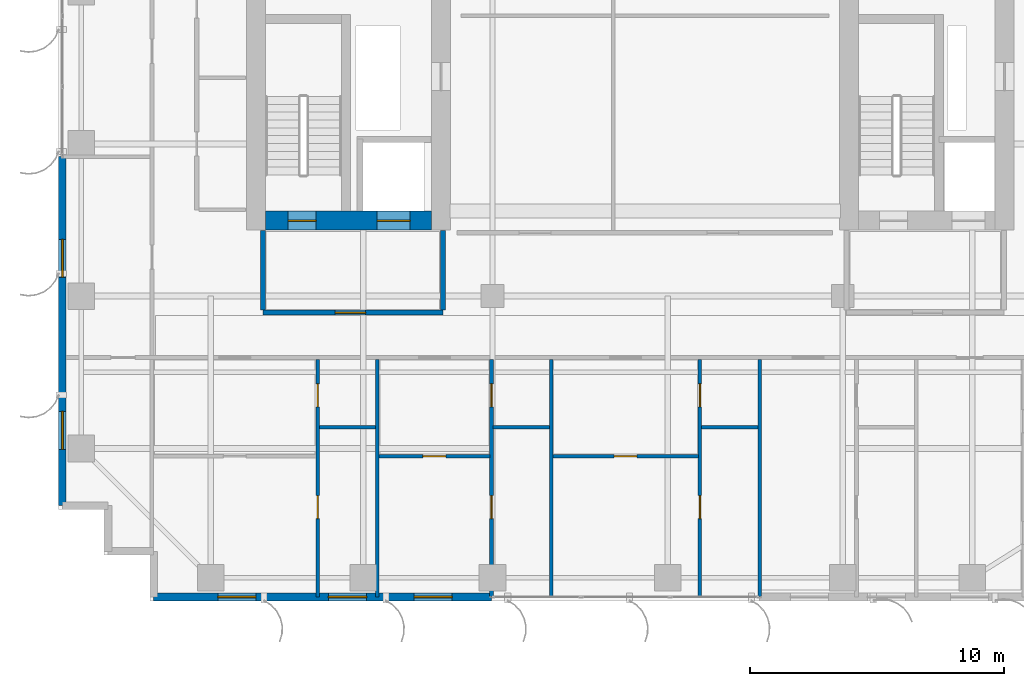
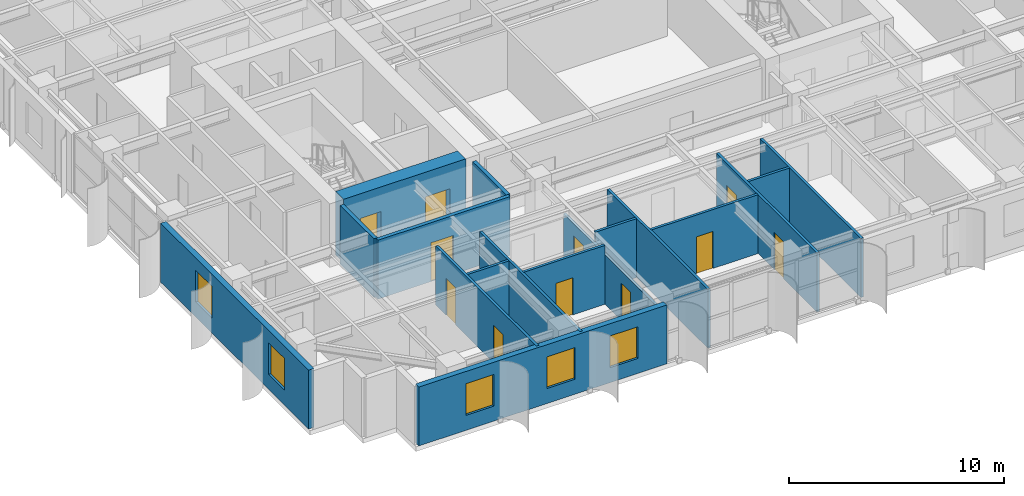
# One storey, part 13 of 22: 17 walls, 11 doors, 5 windows, 16 openings.
"""IFC4 building model written with IfcOpenShell, lengths in metres."""

from ifc_helpers import new_model, si_unit, direction, frame, frame_2d, origin, place, context, subcontext, project, spatial, rectangle, extrude, source, transform, mapped, material, layer, layer_set, type_object, element, fill, save


model = new_model("IFC4")

# Units and contexts
model_context = context("Model", 3, precision=1e-05, world=origin(), true_north=direction((0.0, 1.0)))
body_context = subcontext(model_context, "Body", "Model", "MODEL_VIEW")
ifc_project = project(units=[si_unit("LENGTHUNIT", "METRE"), si_unit("AREAUNIT", "SQUARE_METRE"), si_unit("VOLUMEUNIT", "CUBIC_METRE"), si_unit("PLANEANGLEUNIT", "RADIAN"), si_unit("MASSUNIT", "GRAM", prefix="KILO")], contexts=[model_context])

# Site, building, storey
site_placement = place(None, origin())
site = spatial("IfcSite", under=ifc_project, at=site_placement, CompositionType="ELEMENT")
building_placement = place(site_placement, origin())
building = spatial("IfcBuilding", under=site, at=building_placement, Name="Khoralis Quay Care Tower", CompositionType="ELEMENT")
storey_placement = place(building_placement, frame((0.0, 0.0, 101.699951171875)))
storey = spatial("IfcBuildingStorey", under=building, at=storey_placement, Name="L26", CompositionType="ELEMENT", Elevation=101.699951171875)

# Wall, opening, door
ifc_material_1 = material(Name="Gypsum plasterboard on acoustic metal stud")
ifc_layer_1 = layer(ifc_material_1, 0.199951171875)
ifc_layer_set_1 = layer_set([ifc_layer_1], Name="Gypsum plasterboard on acoustic metal stud")
wall_type_1 = type_object("IfcWallType", Name="WL-COMP-200", PredefinedType="PARTITIONING", material=ifc_layer_set_1)
wall_1_placement = place(storey_placement, frame((8.050048828125, 11.35009765625, 0.0), z_axis=(0.0, 0.0, 1.0), x_axis=(1.0, 0.0, 0.0)))
wall_1 = element("IfcWall", 1, at=wall_1_placement, inside=storey, type_object=wall_type_1, Name="L26 West Firefighting Lobby South Wall", PredefinedType="PARTITIONING", context=body_context, shape_type="SweptSolid", body=[
    extrude(rectangle(XDim=7.099853515625, YDim=0.199951171875, at=frame_2d((3.5498046875, 0.0))), origin(), (0.0, 0.0, 1.0), 3.340087890625),
])
opening_1_placement = place(wall_1_placement, frame((2.846435546875, 0.0, 0.0)))
opening_1 = element("IfcOpeningElement", 2, at=opening_1_placement, cuts=wall_1, Name="Opening FD1", PredefinedType="OPENING", context=body_context, shape_type="SweptSolid", body=[
    extrude(rectangle(XDim=1.199951171875, YDim=2.199951171875, at=frame_2d((0.60009765625, 1.10009765625))), frame((0.0, 0.10986328125, 0.0), z_axis=(0.0, -1.0, 0.0), x_axis=(1.0, 0.0, 0.0)), (0.0, 0.0, 1.0), 0.219970703125),
])
ifc_material_2 = material(Name="Fire-rated painted steel", Category="steel")
door_type_1 = type_object("IfcDoorType", Name="DR-FFL-1200X2200", OperationType="NOTDEFINED", PredefinedType="DOOR", material=ifc_material_2)
shared_shape_1 = source(origin(), body_context, "Body", "SweptSolid", [
    extrude(rectangle(XDim=1.199951171875, YDim=2.199951171875, at=frame_2d((0.60009765625, 1.10009765625))), frame((0.0, 0.02490234375, 0.0), z_axis=(0.0, -1.0, 0.0), x_axis=(1.0, 0.0, 0.0)), (0.0, 0.0, 1.0), 0.050048828125),
])
door_1_placement = place(opening_1_placement, origin())
door_1 = element("IfcDoor", 3, at=door_1_placement, inside=storey, type_object=door_type_1, Name="L26 West Firefighting Lobby Fire Door", OperationType="SINGLE_SWING_RIGHT", OverallHeight=2.199951171875, OverallWidth=1.199951171875, PredefinedType="DOOR", context=body_context, shape_type="MappedRepresentation", body=[
    mapped(shared_shape_1, transform((0.0, 0.0, 0.0), scale=1.0)),
])
fill(opening_1, door_1)

# Walls
for number, where, z_axis, x_axis, name in (
    (4, (8.050048828125, 11.445068359375, 0.0), (0.0, 0.0, 1.0), (0.0, 1.0, 0.0), "L26 West Firefighting Lobby West Wall"),
    (5, (15.14990234375, 11.445068359375, 0.0), (0.0, 0.0, 1.0), (0.0, 1.0, 0.0), "L26 West Firefighting Lobby East Wall"),
):
    element("IfcWall", number, at=place(storey_placement, frame(where, z_axis=z_axis, x_axis=x_axis)), inside=storey, type_object=wall_type_1, Name=name, PredefinedType="PARTITIONING", context=body_context, shape_type="SweptSolid", body=[
        extrude(rectangle(XDim=3.135009765625, YDim=0.199951171875, at=frame_2d((1.5673828125, 0.0))), origin(), (0.0, 0.0, 1.0), 3.340087890625),
    ])

# Wall, openings, doors
ifc_material_3 = material(Name="Concrete C80/95", Category="concrete")
ifc_layer_2 = layer(ifc_material_3, 0.75)
ifc_layer_set_2 = layer_set([ifc_layer_2], Name="Concrete C80/95")
wall_type_2 = type_object("IfcWallType", Name="WL-CORE-750", PredefinedType="SHEAR", material=ifc_layer_set_2)
wall_2_placement = place(storey_placement, frame((8.14990234375, 14.97509765625, 0.0), z_axis=(0.0, 0.0, 1.0), x_axis=(1.0, 0.0, 0.0)))
wall_2 = element("IfcWall", 6, at=wall_2_placement, inside=storey, type_object=wall_type_2, Name="L26 WCORE South Shear Wall", PredefinedType="SHEAR", context=body_context, shape_type="SweptSolid", body=[
    extrude(rectangle(XDim=6.550048828125, YDim=0.75, at=frame_2d((3.27490234375, 0.0))), origin(), (0.0, 0.0, 1.0), 3.60009765625),
])
opening_2_placement = place(wall_2_placement, frame((0.89990234375, 0.0, 0.0)))
opening_2 = element("IfcOpeningElement", 7, at=opening_2_placement, cuts=wall_2, Name="Opening SD1", PredefinedType="OPENING", context=body_context, shape_type="SweptSolid", body=[
    extrude(rectangle(XDim=1.10009765625, YDim=2.199951171875, at=frame_2d((0.550048828125, 1.10009765625))), frame((0.0, 0.385009765625, 0.0), z_axis=(0.0, -1.0, 0.0), x_axis=(1.0, 0.0, 0.0)), (0.0, 0.0, 1.0), 0.77001953125),
])
opening_3_placement = place(wall_2_placement, frame((4.39990234375, 0.0, 0.0)))
opening_3 = element("IfcOpeningElement", 8, at=opening_3_placement, cuts=wall_2, Name="Opening LD2", PredefinedType="OPENING", context=body_context, shape_type="SweptSolid", body=[
    extrude(rectangle(XDim=1.300048828125, YDim=2.199951171875, at=frame_2d((0.64990234375, 1.10009765625))), frame((0.0, 0.385009765625, 0.0), z_axis=(0.0, -1.0, 0.0), x_axis=(1.0, 0.0, 0.0)), (0.0, 0.0, 1.0), 0.77001953125),
])
door_type_2 = type_object("IfcDoorType", Name="DR-STAIR-1100X2200", OperationType="NOTDEFINED", PredefinedType="DOOR", material=ifc_material_2)
shared_shape_2 = source(origin(), body_context, "Body", "SweptSolid", [
    extrude(rectangle(XDim=1.10009765625, YDim=2.199951171875, at=frame_2d((0.550048828125, 1.10009765625))), frame((0.0, 0.02490234375, 0.0), z_axis=(0.0, -1.0, 0.0), x_axis=(1.0, 0.0, 0.0)), (0.0, 0.0, 1.0), 0.050048828125),
])
door_2_placement = place(opening_2_placement, origin())
door_2 = element("IfcDoor", 9, at=door_2_placement, inside=storey, type_object=door_type_2, Name="L26 Stair ST-T1 Fire Door", OperationType="SINGLE_SWING_RIGHT", OverallHeight=2.199951171875, OverallWidth=1.10009765625, PredefinedType="DOOR", context=body_context, shape_type="MappedRepresentation", body=[
    mapped(shared_shape_2, transform((0.0, 0.0, 0.0), scale=1.0)),
])
fill(opening_2, door_2)
ifc_material_4 = material(Name="Brushed stainless steel", Category="steel")
door_type_3 = type_object("IfcDoorType", Name="DR-LIFT-1300X2200", OperationType="SLIDING_TO_RIGHT", PredefinedType="DOOR", material=ifc_material_4)
shared_shape_3 = source(origin(), body_context, "Body", "SweptSolid", [
    extrude(rectangle(XDim=1.300048828125, YDim=2.199951171875, at=frame_2d((0.64990234375, 1.10009765625))), frame((0.0, 0.02490234375, 0.0), z_axis=(0.0, -1.0, 0.0), x_axis=(1.0, 0.0, 0.0)), (0.0, 0.0, 1.0), 0.050048828125),
])
door_3_placement = place(opening_3_placement, origin())
door_3 = element("IfcDoor", 10, at=door_3_placement, inside=storey, type_object=door_type_3, Name="L26 Firefighting Lift FFL-1 Landing Door", OperationType="SLIDING_TO_RIGHT", OverallHeight=2.199951171875, OverallWidth=1.300048828125, PredefinedType="DOOR", context=body_context, shape_type="MappedRepresentation", body=[
    mapped(shared_shape_3, transform((0.0, 0.0, 0.0), scale=1.0)),
])
fill(opening_3, door_3)

# Wall, openings, windows
ifc_material_5 = material(Name="Precast concrete C45/55", Category="concrete")
ifc_layer_3 = layer(ifc_material_5, 0.300048828125)
ifc_layer_set_3 = layer_set([ifc_layer_3], Name="Precast concrete C45/55")
wall_type_3 = type_object("IfcWallType", Name="WL-EXT-REF-300", PredefinedType="SOLIDWALL", material=ifc_layer_set_3)
wall_3_placement = place(storey_placement, frame((3.75, 0.14990234375, 0.0), z_axis=(0.0, 0.0, 1.0), x_axis=(1.0, 0.0, 0.0)))
wall_3 = element("IfcWall", 11, at=wall_3_placement, inside=storey, type_object=wall_type_3, Name="L26 External Facade Wall WL-EXT-L26-P1-E0A", PredefinedType="SOLIDWALL", context=body_context, shape_type="SweptSolid", body=[
    extrude(rectangle(XDim=13.31005859375, YDim=0.300048828125, at=frame_2d((6.655029296875, 0.0))), origin(), (0.0, 0.0, 1.0), 3.340087890625),
])
opening_4_placement = place(wall_3_placement, frame((2.530029296875, 0.0, 0.85009765625)))
opening_4 = element("IfcOpeningElement", 12, at=opening_4_placement, cuts=wall_3, Name="Opening W3", PredefinedType="OPENING", context=body_context, shape_type="SweptSolid", body=[
    extrude(rectangle(XDim=1.5, YDim=1.800048828125, at=frame_2d((0.75, 0.89990234375))), frame((0.0, 0.16015625, 0.0), z_axis=(0.0, -1.0, 0.0), x_axis=(1.0, 0.0, 0.0)), (0.0, 0.0, 1.0), 0.320068359375),
])
opening_5_placement = place(wall_3_placement, frame((6.885009765625, 0.0, 0.85009765625)))
opening_5 = element("IfcOpeningElement", 13, at=opening_5_placement, cuts=wall_3, Name="Opening W3", PredefinedType="OPENING", context=body_context, shape_type="SweptSolid", body=[
    extrude(rectangle(XDim=1.5, YDim=1.800048828125, at=frame_2d((0.75, 0.89990234375))), frame((0.0, 0.16015625, 0.0), z_axis=(0.0, -1.0, 0.0), x_axis=(1.0, 0.0, 0.0)), (0.0, 0.0, 1.0), 0.320068359375),
])
opening_6_placement = place(wall_3_placement, frame((10.260009765625, 0.0, 0.85009765625)))
opening_6 = element("IfcOpeningElement", 14, at=opening_6_placement, cuts=wall_3, Name="Opening W3", PredefinedType="OPENING", context=body_context, shape_type="SweptSolid", body=[
    extrude(rectangle(XDim=1.5, YDim=1.800048828125, at=frame_2d((0.75, 0.89990234375))), frame((0.0, 0.16015625, 0.0), z_axis=(0.0, -1.0, 0.0), x_axis=(1.0, 0.0, 0.0)), (0.0, 0.0, 1.0), 0.320068359375),
])
ifc_material_6 = material(Name="Low-E solar-control double glazing", Category="glass")
window_type = type_object("IfcWindowType", Name="WN-CLIN-1500X1800", PartitioningType="SINGLE_PANEL", PredefinedType="WINDOW", material=ifc_material_6)
shared_shape_4 = source(origin(), body_context, "Body", "SweptSolid", [
    extrude(rectangle(XDim=1.5, YDim=1.800048828125, at=frame_2d((0.75, 0.89990234375))), frame((0.0, 0.030029296875, 0.0), z_axis=(0.0, -1.0, 0.0), x_axis=(1.0, 0.0, 0.0)), (0.0, 0.0, 1.0), 0.06005859375),
])
window_1_placement = place(opening_4_placement, origin())
window_1 = element("IfcWindow", 15, at=window_1_placement, inside=storey, type_object=window_type, Name="WN-L26-P1-E0A Facade Window 01", OverallHeight=1.800048828125, OverallWidth=1.5, PartitioningType="SINGLE_PANEL", PredefinedType="WINDOW", context=body_context, shape_type="MappedRepresentation", body=[
    mapped(shared_shape_4, transform((0.0, 0.0, 0.0), scale=1.0)),
])
fill(opening_4, window_1)
window_2_placement = place(opening_5_placement, origin())
window_2 = element("IfcWindow", 16, at=window_2_placement, inside=storey, type_object=window_type, Name="WN-L26-P1-E0A Facade Window 02", OverallHeight=1.800048828125, OverallWidth=1.5, PartitioningType="SINGLE_PANEL", PredefinedType="WINDOW", context=body_context, shape_type="MappedRepresentation", body=[
    mapped(shared_shape_4, transform((0.0, 0.0, 0.0), scale=1.0)),
])
fill(opening_5, window_2)
window_3_placement = place(opening_6_placement, origin())
window_3 = element("IfcWindow", 17, at=window_3_placement, inside=storey, type_object=window_type, Name="WN-L26-P1-E0A Facade Window 03", OverallHeight=1.800048828125, OverallWidth=1.5, PartitioningType="SINGLE_PANEL", PredefinedType="WINDOW", context=body_context, shape_type="MappedRepresentation", body=[
    mapped(shared_shape_4, transform((0.0, 0.0, 0.0), scale=1.0)),
])
fill(opening_6, window_3)

wall_4_placement = place(storey_placement, frame((0.14990234375, 17.5, 0.0), z_axis=(0.0, 0.0, 1.0), x_axis=(0.0, -1.0, 0.0)))
wall_4 = element("IfcWall", 18, at=wall_4_placement, inside=storey, type_object=wall_type_3, Name="L26 External Facade Wall WL-EXT-L26-P1-E15B", PredefinedType="SOLIDWALL", context=body_context, shape_type="SweptSolid", body=[
    extrude(rectangle(XDim=13.75, YDim=0.300048828125, at=frame_2d((6.875, 0.0))), origin(), (0.0, 0.0, 1.0), 3.340087890625),
])
opening_7_placement = place(wall_4_placement, frame((3.260009765625, 0.0, 0.85009765625)))
opening_7 = element("IfcOpeningElement", 19, at=opening_7_placement, cuts=wall_4, Name="Opening W3", PredefinedType="OPENING", context=body_context, shape_type="SweptSolid", body=[
    extrude(rectangle(XDim=1.5, YDim=1.800048828125, at=frame_2d((0.75, 0.89990234375))), frame((0.0, 0.16015625, 0.0), z_axis=(0.0, -1.0, 0.0), x_axis=(1.0, 0.0, 0.0)), (0.0, 0.0, 1.0), 0.320068359375),
])
opening_8_placement = place(wall_4_placement, frame((10.034912109375, 0.0, 0.85009765625)))
opening_8 = element("IfcOpeningElement", 20, at=opening_8_placement, cuts=wall_4, Name="Opening W3", PredefinedType="OPENING", context=body_context, shape_type="SweptSolid", body=[
    extrude(rectangle(XDim=1.5, YDim=1.800048828125, at=frame_2d((0.75, 0.89990234375))), frame((0.0, 0.16015625, 0.0), z_axis=(0.0, -1.0, 0.0), x_axis=(1.0, 0.0, 0.0)), (0.0, 0.0, 1.0), 0.320068359375),
])
window_4_placement = place(opening_7_placement, origin())
window_4 = element("IfcWindow", 21, at=window_4_placement, inside=storey, type_object=window_type, Name="WN-L26-P1-E15B Facade Window 01", OverallHeight=1.800048828125, OverallWidth=1.5, PartitioningType="SINGLE_PANEL", PredefinedType="WINDOW", context=body_context, shape_type="MappedRepresentation", body=[
    mapped(shared_shape_4, transform((0.0, 0.0, 0.0), scale=1.0)),
])
fill(opening_7, window_4)
window_5_placement = place(opening_8_placement, origin())
window_5 = element("IfcWindow", 22, at=window_5_placement, inside=storey, type_object=window_type, Name="WN-L26-P1-E15B Facade Window 02", OverallHeight=1.800048828125, OverallWidth=1.5, PartitioningType="SINGLE_PANEL", PredefinedType="WINDOW", context=body_context, shape_type="MappedRepresentation", body=[
    mapped(shared_shape_4, transform((0.0, 0.0, 0.0), scale=1.0)),
])
fill(opening_8, window_5)

# Wall, openings, doors
ifc_material_7 = material(Name="Moisture-resistant gypsum and ceramic tile")
ifc_layer_4 = layer(ifc_material_7, 0.280029296875)
ifc_layer_set_4 = layer_set([ifc_layer_4], Name="Moisture-resistant gypsum and ceramic tile")
wall_type_4 = type_object("IfcWallType", Name="WL-PLUMB-280", PredefinedType="PLUMBINGWALL", material=ifc_layer_set_4)
wall_5_placement = place(storey_placement, frame((10.2099609375, 0.14501953125, 0.0), z_axis=(0.0, 0.0, 1.0), x_axis=(0.0, 1.0, 0.0)))
wall_5 = element("IfcWall", 23, at=wall_5_placement, inside=storey, type_object=wall_type_4, Name="L26 Care Suite 0 En-Suite Wall V", PredefinedType="PLUMBINGWALL", context=body_context, shape_type="SweptSolid", body=[
    extrude(rectangle(XDim=9.357421875, YDim=0.139892578125, at=frame_2d((4.6787109375, 0.0))), origin(), (0.0, 0.0, 1.0), 3.340087890625),
])
opening_9_placement = place(wall_5_placement, frame((7.4951171875, 0.0, 0.0)))
opening_9 = element("IfcOpeningElement", 24, at=opening_9_placement, cuts=wall_5, Name="Opening WD1", PredefinedType="OPENING", context=body_context, shape_type="SweptSolid", body=[
    extrude(rectangle(XDim=0.89990234375, YDim=2.10009765625, at=frame_2d((0.449951171875, 1.050048828125))), frame((0.0, 0.080078125, 0.0), z_axis=(0.0, -1.0, 0.0), x_axis=(1.0, 0.0, 0.0)), (0.0, 0.0, 1.0), 0.159912109375),
])
opening_10_placement = place(wall_5_placement, frame((3.094970703125, 0.0, 0.0)))
opening_10 = element("IfcOpeningElement", 25, at=opening_10_placement, cuts=wall_5, Name="Opening WD1", PredefinedType="OPENING", context=body_context, shape_type="SweptSolid", body=[
    extrude(rectangle(XDim=0.89990234375, YDim=2.10009765625, at=frame_2d((0.449951171875, 1.050048828125))), frame((0.0, 0.080078125, 0.0), z_axis=(0.0, -1.0, 0.0), x_axis=(1.0, 0.0, 0.0)), (0.0, 0.0, 1.0), 0.159912109375),
])
ifc_material_8 = material(Name="Acoustic hardwood timber", Category="wood")
door_type_4 = type_object("IfcDoorType", Name="DR-BATH-900X2100", OperationType="NOTDEFINED", PredefinedType="DOOR", material=ifc_material_8)
shared_shape_5 = source(origin(), body_context, "Body", "SweptSolid", [
    extrude(rectangle(XDim=0.89990234375, YDim=2.10009765625, at=frame_2d((0.449951171875, 1.050048828125))), frame((0.0, 0.02490234375, 0.0), z_axis=(0.0, -1.0, 0.0), x_axis=(1.0, 0.0, 0.0)), (0.0, 0.0, 1.0), 0.050048828125),
])
door_4_placement = place(opening_9_placement, frame((0.89990234375, 0.0, 0.0), z_axis=(0.0, 0.0, 1.0), x_axis=(-1.0, 0.0, 0.0)))
door_4 = element("IfcDoor", 26, at=door_4_placement, inside=storey, type_object=door_type_4, Name="L26 Care CENS Door", OperationType="SINGLE_SWING_LEFT", OverallHeight=2.10009765625, OverallWidth=0.89990234375, PredefinedType="DOOR", context=body_context, shape_type="MappedRepresentation", body=[
    mapped(shared_shape_5, transform((0.0, 0.0, 0.0), scale=1.0)),
])
fill(opening_9, door_4)
door_5_placement = place(opening_10_placement, frame((0.89990234375, 0.0, 0.0), z_axis=(0.0, 0.0, 1.0), x_axis=(-1.0, 0.0, 0.0)))
door_5 = element("IfcDoor", 27, at=door_5_placement, inside=storey, type_object=door_type_4, Name="L26 Care CSIT Door", OperationType="SINGLE_SWING_RIGHT", OverallHeight=2.10009765625, OverallWidth=0.89990234375, PredefinedType="DOOR", context=body_context, shape_type="MappedRepresentation", body=[
    mapped(shared_shape_5, transform((0.0, 0.0, 0.0), scale=1.0)),
])
fill(opening_10, door_5)

# Wall
wall_6_placement = place(storey_placement, frame((10.27490234375, 6.830078125, 0.0), z_axis=(0.0, 0.0, 1.0), x_axis=(1.0, 0.0, 0.0)))
element("IfcWall", 28, at=wall_6_placement, inside=storey, type_object=wall_type_4, Name="L26 Care Suite 0 En-Suite Wall H", PredefinedType="PLUMBINGWALL", context=body_context, shape_type="SweptSolid", body=[
    extrude(rectangle(XDim=2.22021484375, YDim=0.139892578125, at=frame_2d((1.110107421875, 0.0))), origin(), (0.0, 0.0, 1.0), 3.340087890625),
])

# Wall, openings, doors
wall_7_placement = place(storey_placement, frame((17.06005859375, 0.14501953125, 0.0), z_axis=(0.0, 0.0, 1.0), x_axis=(0.0, 1.0, 0.0)))
wall_7 = element("IfcWall", 29, at=wall_7_placement, inside=storey, type_object=wall_type_4, Name="L26 Care Suite 1 En-Suite Wall V", PredefinedType="PLUMBINGWALL", context=body_context, shape_type="SweptSolid", body=[
    extrude(rectangle(XDim=9.357421875, YDim=0.139892578125, at=frame_2d((4.6787109375, 0.0))), origin(), (0.0, 0.0, 1.0), 2.796142578125),
])
opening_11_placement = place(wall_7_placement, frame((7.4951171875, 0.0, 0.0)))
opening_11 = element("IfcOpeningElement", 30, at=opening_11_placement, cuts=wall_7, Name="Opening WD1", PredefinedType="OPENING", context=body_context, shape_type="SweptSolid", body=[
    extrude(rectangle(XDim=0.89990234375, YDim=2.10009765625, at=frame_2d((0.449951171875, 1.050048828125))), frame((0.0, 0.080078125, 0.0), z_axis=(0.0, -1.0, 0.0), x_axis=(1.0, 0.0, 0.0)), (0.0, 0.0, 1.0), 0.159912109375),
])
opening_12_placement = place(wall_7_placement, frame((3.094970703125, 0.0, 0.0)))
opening_12 = element("IfcOpeningElement", 31, at=opening_12_placement, cuts=wall_7, Name="Opening WD1", PredefinedType="OPENING", context=body_context, shape_type="SweptSolid", body=[
    extrude(rectangle(XDim=0.89990234375, YDim=2.10009765625, at=frame_2d((0.449951171875, 1.050048828125))), frame((0.0, 0.080078125, 0.0), z_axis=(0.0, -1.0, 0.0), x_axis=(1.0, 0.0, 0.0)), (0.0, 0.0, 1.0), 0.159912109375),
])
door_6_placement = place(opening_11_placement, frame((0.89990234375, 0.0, 0.0), z_axis=(0.0, 0.0, 1.0), x_axis=(-1.0, 0.0, 0.0)))
door_6 = element("IfcDoor", 32, at=door_6_placement, inside=storey, type_object=door_type_4, Name="L26 Care CENS Door", OperationType="SINGLE_SWING_RIGHT", OverallHeight=2.10009765625, OverallWidth=0.89990234375, PredefinedType="DOOR", context=body_context, shape_type="MappedRepresentation", body=[
    mapped(shared_shape_5, transform((0.0, 0.0, 0.0), scale=1.0)),
])
fill(opening_11, door_6)
door_7_placement = place(opening_12_placement, frame((0.89990234375, 0.0, 0.0), z_axis=(0.0, 0.0, 1.0), x_axis=(-1.0, 0.0, 0.0)))
door_7 = element("IfcDoor", 33, at=door_7_placement, inside=storey, type_object=door_type_4, Name="L26 Care CSIT Door", OperationType="SINGLE_SWING_LEFT", OverallHeight=2.10009765625, OverallWidth=0.89990234375, PredefinedType="DOOR", context=body_context, shape_type="MappedRepresentation", body=[
    mapped(shared_shape_5, transform((0.0, 0.0, 0.0), scale=1.0)),
])
fill(opening_12, door_7)

# Wall
wall_8_placement = place(storey_placement, frame((17.125, 6.830078125, 0.0), z_axis=(0.0, 0.0, 1.0), x_axis=(1.0, 0.0, 0.0)))
element("IfcWall", 34, at=wall_8_placement, inside=storey, type_object=wall_type_4, Name="L26 Care Suite 1 En-Suite Wall H", PredefinedType="PLUMBINGWALL", context=body_context, shape_type="SweptSolid", body=[
    extrude(rectangle(XDim=2.219970703125, YDim=0.139892578125, at=frame_2d((1.10986328125, 0.0))), origin(), (0.0, 0.0, 1.0), 3.340087890625),
])

# Wall, openings, doors
wall_9_placement = place(storey_placement, frame((25.27001953125, 0.14501953125, 0.0), z_axis=(0.0, 0.0, 1.0), x_axis=(0.0, 1.0, 0.0)))
wall_9 = element("IfcWall", 35, at=wall_9_placement, inside=storey, type_object=wall_type_4, Name="L26 Care Suite 2 En-Suite Wall V", PredefinedType="PLUMBINGWALL", context=body_context, shape_type="SweptSolid", body=[
    extrude(rectangle(XDim=9.357421875, YDim=0.139892578125, at=frame_2d((4.6787109375, 0.0))), origin(), (0.0, 0.0, 1.0), 3.340087890625),
])
opening_13_placement = place(wall_9_placement, frame((7.4951171875, 0.0, 0.0)))
opening_13 = element("IfcOpeningElement", 36, at=opening_13_placement, cuts=wall_9, Name="Opening WD1", PredefinedType="OPENING", context=body_context, shape_type="SweptSolid", body=[
    extrude(rectangle(XDim=0.89990234375, YDim=2.10009765625, at=frame_2d((0.449951171875, 1.050048828125))), frame((0.0, 0.080078125, 0.0), z_axis=(0.0, -1.0, 0.0), x_axis=(1.0, 0.0, 0.0)), (0.0, 0.0, 1.0), 0.159912109375),
])
opening_14_placement = place(wall_9_placement, frame((3.094970703125, 0.0, 0.0)))
opening_14 = element("IfcOpeningElement", 37, at=opening_14_placement, cuts=wall_9, Name="Opening WD1", PredefinedType="OPENING", context=body_context, shape_type="SweptSolid", body=[
    extrude(rectangle(XDim=0.89990234375, YDim=2.10009765625, at=frame_2d((0.449951171875, 1.050048828125))), frame((0.0, 0.080078125, 0.0), z_axis=(0.0, -1.0, 0.0), x_axis=(1.0, 0.0, 0.0)), (0.0, 0.0, 1.0), 0.159912109375),
])
door_8_placement = place(opening_13_placement, frame((0.89990234375, 0.0, 0.0), z_axis=(0.0, 0.0, 1.0), x_axis=(-1.0, 0.0, 0.0)))
door_8 = element("IfcDoor", 38, at=door_8_placement, inside=storey, type_object=door_type_4, Name="L26 Care CENS Door", OperationType="SINGLE_SWING_LEFT", OverallHeight=2.10009765625, OverallWidth=0.89990234375, PredefinedType="DOOR", context=body_context, shape_type="MappedRepresentation", body=[
    mapped(shared_shape_5, transform((0.0, 0.0, 0.0), scale=1.0)),
])
fill(opening_13, door_8)
door_9_placement = place(opening_14_placement, frame((0.89990234375, 0.0, 0.0), z_axis=(0.0, 0.0, 1.0), x_axis=(-1.0, 0.0, 0.0)))
door_9 = element("IfcDoor", 39, at=door_9_placement, inside=storey, type_object=door_type_4, Name="L26 Care CSIT Door", OperationType="SINGLE_SWING_RIGHT", OverallHeight=2.10009765625, OverallWidth=0.89990234375, PredefinedType="DOOR", context=body_context, shape_type="MappedRepresentation", body=[
    mapped(shared_shape_5, transform((0.0, 0.0, 0.0), scale=1.0)),
])
fill(opening_14, door_9)

# Walls
wall_10_placement = place(storey_placement, frame((25.3349609375, 6.830078125, 0.0), z_axis=(0.0, 0.0, 1.0), x_axis=(1.0, 0.0, 0.0)))
element("IfcWall", 40, at=wall_10_placement, inside=storey, type_object=wall_type_4, Name="L26 Care Suite 2 En-Suite Wall H", PredefinedType="PLUMBINGWALL", context=body_context, shape_type="SweptSolid", body=[
    extrude(rectangle(XDim=2.219970703125, YDim=0.139892578125, at=frame_2d((1.10986328125, 0.0))), origin(), (0.0, 0.0, 1.0), 3.340087890625),
])
ifc_layer_5 = layer(ifc_material_1, 0.139892578125)
ifc_layer_set_5 = layer_set([ifc_layer_5], Name="Gypsum plasterboard on acoustic metal stud")
wall_type_5 = type_object("IfcWallType", Name="WL-UNIT-140", PredefinedType="PARTITIONING", material=ifc_layer_set_5)
for number, where, z_axis, x_axis, name in (
    (41, (12.56005859375, 0.14501953125, 0.0), (0.0, 0.0, 1.0), (0.0, 1.0, 0.0), "L26 SB Demising Wall 1"),
    (42, (19.409912109375, 0.14501953125, 0.0), (0.0, 0.0, 1.0), (0.0, 1.0, 0.0), "L26 SB Demising Wall 2"),
    (43, (27.6201171875, 0.14501953125, 0.0), (0.0, 0.0, 1.0), (0.0, 1.0, 0.0), "L26 SB Demising Wall 3"),
):
    element("IfcWall", number, at=place(storey_placement, frame(where, z_axis=z_axis, x_axis=x_axis)), inside=storey, type_object=wall_type_5, Name=name, PredefinedType="PARTITIONING", context=body_context, shape_type="SweptSolid", body=[
        extrude(rectangle(XDim=9.357421875, YDim=0.139892578125, at=frame_2d((4.6787109375, 0.0))), origin(), (0.0, 0.0, 1.0), 3.340087890625),
    ])

# Wall, opening, door
wall_11_placement = place(storey_placement, frame((12.625, 5.68994140625, 0.0), z_axis=(0.0, 0.0, 1.0), x_axis=(1.0, 0.0, 0.0)))
wall_11 = element("IfcWall", 44, at=wall_11_placement, inside=storey, type_object=wall_type_5, Name="Skilled Care Bedroom L26-SB1 Sub-Partition", PredefinedType="PARTITIONING", context=body_context, shape_type="SweptSolid", body=[
    extrude(rectangle(XDim=4.3701171875, YDim=0.139892578125, at=frame_2d((2.18505859375, 0.0))), origin(), (0.0, 0.0, 1.0), 3.340087890625),
])
opening_15_placement = place(wall_11_placement, frame((1.735107421875, 0.0, 0.0)))
opening_15 = element("IfcOpeningElement", 45, at=opening_15_placement, cuts=wall_11, Name="Opening WD1", PredefinedType="OPENING", context=body_context, shape_type="SweptSolid", body=[
    extrude(rectangle(XDim=0.89990234375, YDim=2.10009765625, at=frame_2d((0.449951171875, 1.050048828125))), frame((0.0, 0.080078125, 0.0), z_axis=(0.0, -1.0, 0.0), x_axis=(1.0, 0.0, 0.0)), (0.0, 0.0, 1.0), 0.159912109375),
])
door_10_placement = place(opening_15_placement, origin())
door_10 = element("IfcDoor", 46, at=door_10_placement, inside=storey, type_object=door_type_4, Name="Private Study & Reading Alcove ARE1 Door", OperationType="SINGLE_SWING_LEFT", OverallHeight=2.10009765625, OverallWidth=0.89990234375, PredefinedType="DOOR", context=body_context, shape_type="MappedRepresentation", body=[
    mapped(shared_shape_5, transform((0.0, 0.0, 0.0), scale=1.0)),
])
fill(opening_15, door_10)

wall_12_placement = place(storey_placement, frame((19.47509765625, 5.68994140625, 0.0), z_axis=(0.0, 0.0, 1.0), x_axis=(1.0, 0.0, 0.0)))
wall_12 = element("IfcWall", 47, at=wall_12_placement, inside=storey, type_object=wall_type_5, Name="Skilled Care Bedroom L26-SB2 Sub-Partition", PredefinedType="PARTITIONING", context=body_context, shape_type="SweptSolid", body=[
    extrude(rectangle(XDim=5.72998046875, YDim=0.139892578125, at=frame_2d((2.864990234375, 0.0))), origin(), (0.0, 0.0, 1.0), 3.340087890625),
])
opening_16_placement = place(wall_12_placement, frame((2.4150390625, 0.0, 0.0)))
opening_16 = element("IfcOpeningElement", 48, at=opening_16_placement, cuts=wall_12, Name="Opening WD1", PredefinedType="OPENING", context=body_context, shape_type="SweptSolid", body=[
    extrude(rectangle(XDim=0.89990234375, YDim=2.10009765625, at=frame_2d((0.449951171875, 1.050048828125))), frame((0.0, 0.080078125, 0.0), z_axis=(0.0, -1.0, 0.0), x_axis=(1.0, 0.0, 0.0)), (0.0, 0.0, 1.0), 0.159912109375),
])
door_11_placement = place(opening_16_placement, origin())
door_11 = element("IfcDoor", 49, at=door_11_placement, inside=storey, type_object=door_type_4, Name="Private Study & Reading Alcove ARE2 Door", OperationType="SINGLE_SWING_LEFT", OverallHeight=2.10009765625, OverallWidth=0.89990234375, PredefinedType="DOOR", context=body_context, shape_type="MappedRepresentation", body=[
    mapped(shared_shape_5, transform((0.0, 0.0, 0.0), scale=1.0)),
])
fill(opening_16, door_11)

save(model, "model.ifc")
